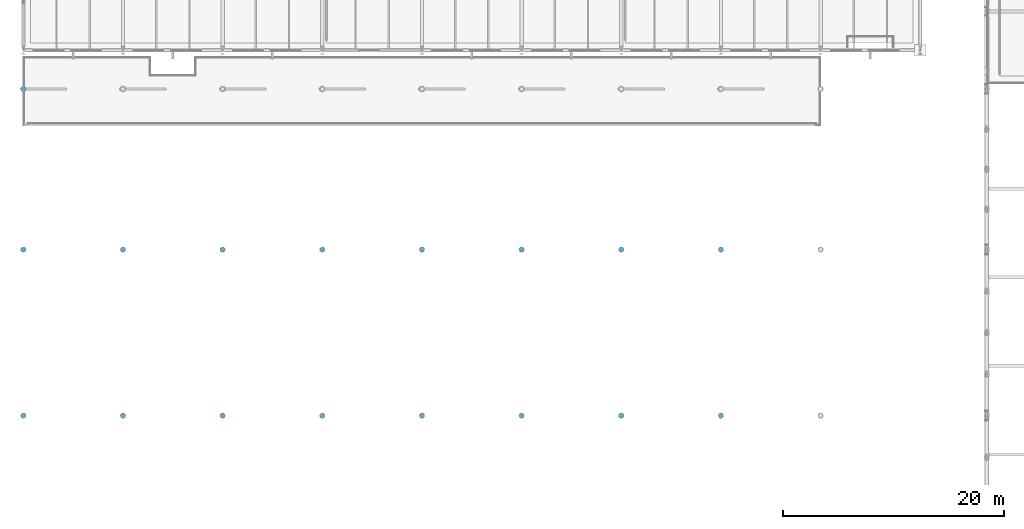
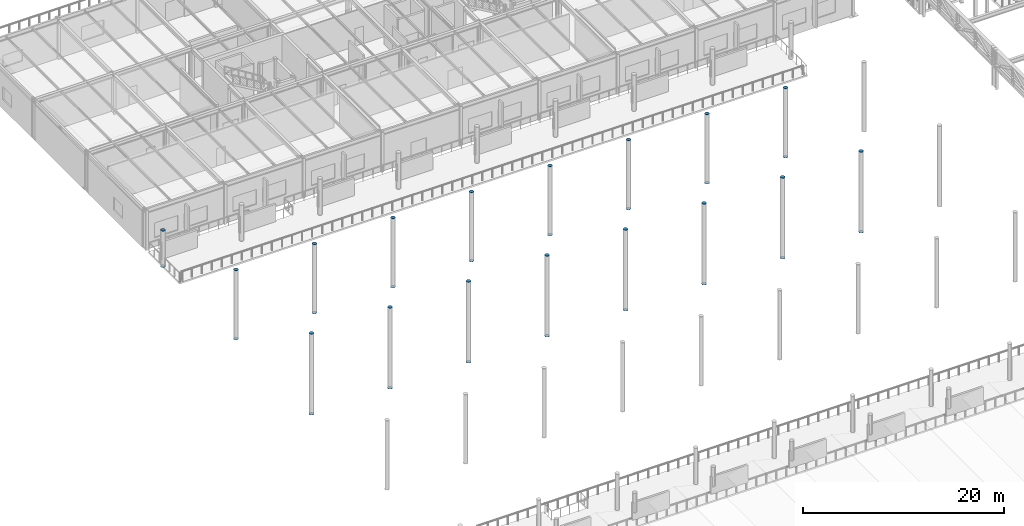
# One storey, part 96 of 143: 34 discrete accessories.
"""IFC4 building model written with IfcOpenShell, lengths in metres."""

from ifc_helpers import new_model, si_unit, direction, frame, origin, origin_2d, place, context, subcontext, project, spatial, circle, extrude, material, element, save


model = new_model("IFC4")

# Units and contexts
model_context = context("Model", 3, precision=1e-05, world=origin(), true_north=direction((0.0, 1.0)))
body_context = subcontext(model_context, "Body", "Model", "MODEL_VIEW")
ifc_project = project(units=[si_unit("LENGTHUNIT", "METRE"), si_unit("AREAUNIT", "SQUARE_METRE"), si_unit("VOLUMEUNIT", "CUBIC_METRE"), si_unit("PLANEANGLEUNIT", "RADIAN"), si_unit("MASSUNIT", "GRAM", prefix="KILO")], contexts=[model_context])

# Site, building, storey
site_placement = place(None, origin())
site = spatial("IfcSite", under=ifc_project, at=site_placement, CompositionType="ELEMENT")
building_placement = place(site_placement, origin())
building = spatial("IfcBuilding", under=site, at=building_placement, Name="Marlcrest Central Station", CompositionType="ELEMENT")
storey_placement = place(building_placement, frame((0.0, 0.0, 4.800048828125)))
storey = spatial("IfcBuildingStorey", under=building, at=storey_placement, Name="L01", CompositionType="ELEMENT", Elevation=4.800048828125)

# Discrete accessories
ifc_material = material(Name="Steel S355", Category="steel")
for number, where, z_axis, x_axis, name in (
    (1, (0.0, 66.0, -0.014892578125), (0.0, 0.0, 1.0), (1.0, 0.0, 0.0), "endcap-col-SC-11-L01-0417-s"),
    (2, (0.0, 66.0, 9.775146484375), (0.0, 0.0, 1.0), (1.0, 0.0, 0.0), "endcap-col-SC-11-L01-0417-e"),
    (3, (0.0, 81.0, -0.014892578125), (0.0, 0.0, 1.0), (1.0, 0.0, 0.0), "endcap-col-SC-11-L01-0419-s"),
    (4, (0.0, 81.0, 8.37890625), (0.0, 0.0, 1.0), (1.0, 0.0, 0.0), "endcap-col-SC-11-L01-0419-e"),
    (5, (0.0, 95.5, -0.014892578125), (0.0, 0.0, 1.0), (1.0, 0.0, 0.0), "endcap-col-SC-11-L01-0421-s"),
    (6, (0.0, 95.5, 4.375), (0.0, 0.0, 1.0), (1.0, 0.0, 0.0), "endcap-col-SC-11-L01-0421-e"),
    (7, (9.0, 66.0, -0.014892578125), (0.0, 0.0, 1.0), (1.0, 0.0, 0.0), "endcap-col-SC-11-L01-0427-s"),
    (8, (9.0, 66.0, 9.775146484375), (0.0, 0.0, 1.0), (1.0, 0.0, 0.0), "endcap-col-SC-11-L01-0427-e"),
    (9, (9.0, 81.0, -0.014892578125), (0.0, 0.0, 1.0), (1.0, 0.0, 0.0), "endcap-col-SC-11-L01-0429-s"),
    (10, (9.0, 81.0, 8.37890625), (0.0, 0.0, 1.0), (1.0, 0.0, 0.0), "endcap-col-SC-11-L01-0429-e"),
    (11, (18.0, 66.0, -0.014892578125), (0.0, 0.0, 1.0), (1.0, 0.0, 0.0), "endcap-col-SC-11-L01-0437-s"),
    (12, (18.0, 66.0, 9.775146484375), (0.0, 0.0, 1.0), (1.0, 0.0, 0.0), "endcap-col-SC-11-L01-0437-e"),
    (13, (18.0, 81.0, -0.014892578125), (0.0, 0.0, 1.0), (1.0, 0.0, 0.0), "endcap-col-SC-11-L01-0439-s"),
    (14, (18.0, 81.0, 8.37890625), (0.0, 0.0, 1.0), (1.0, 0.0, 0.0), "endcap-col-SC-11-L01-0439-e"),
    (15, (27.0, 66.0, -0.014892578125), (0.0, 0.0, 1.0), (1.0, 0.0, 0.0), "endcap-col-SC-11-L01-0447-s"),
    (16, (27.0, 66.0, 9.775146484375), (0.0, 0.0, 1.0), (1.0, 0.0, 0.0), "endcap-col-SC-11-L01-0447-e"),
    (17, (27.0, 81.0, -0.014892578125), (0.0, 0.0, 1.0), (1.0, 0.0, 0.0), "endcap-col-SC-11-L01-0449-s"),
    (18, (27.0, 81.0, 8.37890625), (0.0, 0.0, 1.0), (1.0, 0.0, 0.0), "endcap-col-SC-11-L01-0449-e"),
    (19, (36.0, 66.0, -0.014892578125), (0.0, 0.0, 1.0), (1.0, 0.0, 0.0), "endcap-col-SC-11-L01-0457-s"),
    (20, (36.0, 66.0, 9.775146484375), (0.0, 0.0, 1.0), (1.0, 0.0, 0.0), "endcap-col-SC-11-L01-0457-e"),
    (21, (36.0, 81.0, -0.014892578125), (0.0, 0.0, 1.0), (1.0, 0.0, 0.0), "endcap-col-SC-11-L01-0459-s"),
    (22, (36.0, 81.0, 8.37890625), (0.0, 0.0, 1.0), (1.0, 0.0, 0.0), "endcap-col-SC-11-L01-0459-e"),
    (23, (45.0, 66.0, -0.014892578125), (0.0, 0.0, 1.0), (1.0, 0.0, 0.0), "endcap-col-SC-11-L01-0467-s"),
    (24, (45.0, 66.0, 9.775146484375), (0.0, 0.0, 1.0), (1.0, 0.0, 0.0), "endcap-col-SC-11-L01-0467-e"),
    (25, (45.0, 81.0, -0.014892578125), (0.0, 0.0, 1.0), (1.0, 0.0, 0.0), "endcap-col-SC-11-L01-0469-s"),
    (26, (45.0, 81.0, 8.37890625), (0.0, 0.0, 1.0), (1.0, 0.0, 0.0), "endcap-col-SC-11-L01-0469-e"),
    (27, (54.0, 66.0, -0.014892578125), (0.0, 0.0, 1.0), (1.0, 0.0, 0.0), "endcap-col-SC-11-L01-0477-s"),
    (28, (54.0, 66.0, 9.775146484375), (0.0, 0.0, 1.0), (1.0, 0.0, 0.0), "endcap-col-SC-11-L01-0477-e"),
    (29, (54.0, 81.0, -0.014892578125), (0.0, 0.0, 1.0), (1.0, 0.0, 0.0), "endcap-col-SC-11-L01-0479-s"),
    (30, (54.0, 81.0, 8.37890625), (0.0, 0.0, 1.0), (1.0, 0.0, 0.0), "endcap-col-SC-11-L01-0479-e"),
    (31, (63.0, 66.0, -0.014892578125), (0.0, 0.0, 1.0), (1.0, 0.0, 0.0), "endcap-col-SC-11-L01-0487-s"),
    (32, (63.0, 66.0, 9.775146484375), (0.0, 0.0, 1.0), (1.0, 0.0, 0.0), "endcap-col-SC-11-L01-0487-e"),
    (33, (63.0, 81.0, -0.014892578125), (0.0, 0.0, 1.0), (1.0, 0.0, 0.0), "endcap-col-SC-11-L01-0489-s"),
    (34, (63.0, 81.0, 8.37890625), (0.0, 0.0, 1.0), (1.0, 0.0, 0.0), "endcap-col-SC-11-L01-0489-e"),
):
    element("IfcDiscreteAccessory", number, at=place(storey_placement, frame(where, z_axis=z_axis, x_axis=x_axis)), inside=storey, material=ifc_material, Name=name, ObjectType="END_CAP_PLATE", PredefinedType="BRACKET", context=body_context, shape_type="SweptSolid", body=[
        extrude(circle(Radius=0.236572265625, at=origin_2d()), origin(), (0.0, 0.0, 1.0), 0.0400390625),
    ])

save(model, "model.ifc")
